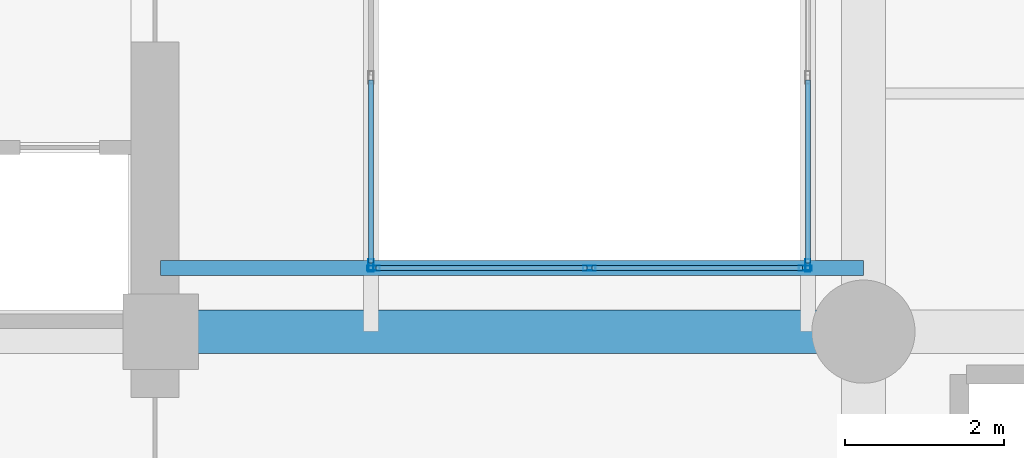
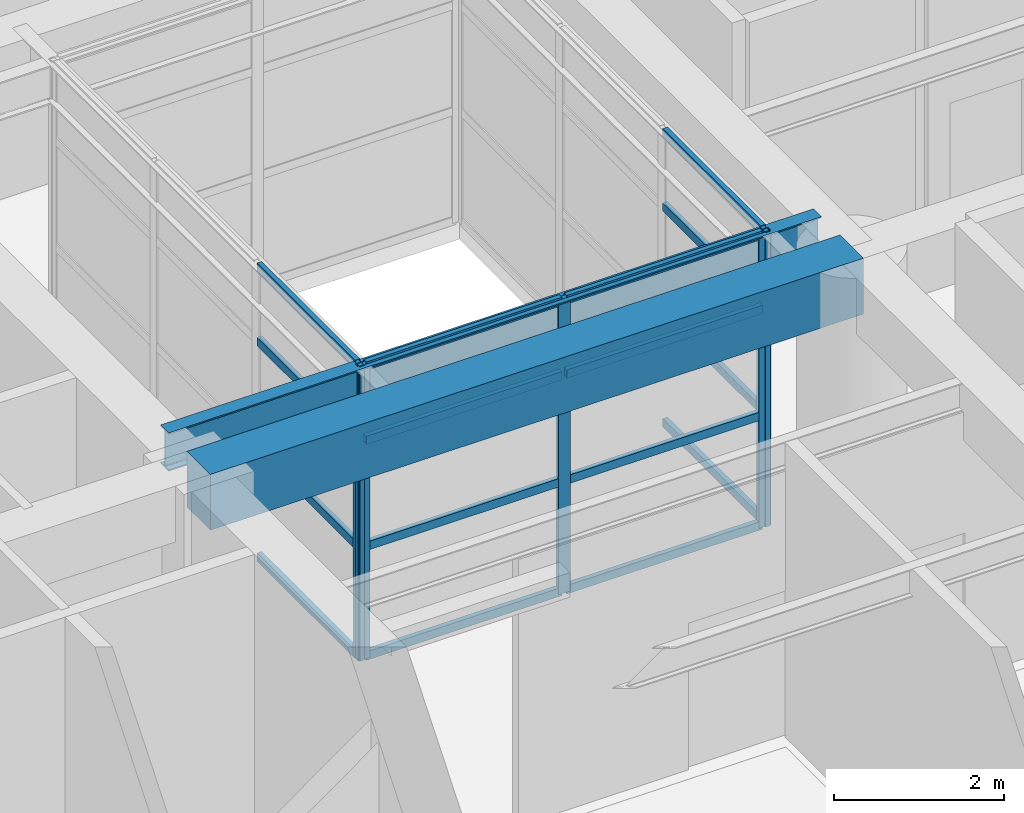
# One storey, part 2 of 13: 21 members, 2 beams, 3 elements without a shape of their own.
"""IFC4 building model written with IfcOpenShell, lengths in metres."""

from ifc_helpers import new_model, si_unit, direction, frame, origin, origin_2d, place, context, subcontext, project, spatial, rectangle, hollow_rectangle, i_section, extrude, material, layer, layer_set, material_profile, profile_set, type_object, element, aggregate, save


model = new_model("IFC4")

# Units and contexts
model_context = context("Model", 3, precision=1e-05, world=origin(), true_north=direction((0.0, 1.0)))
body_context = subcontext(model_context, "Body", "Model", "MODEL_VIEW")
ifc_project = project(units=[si_unit("LENGTHUNIT", "METRE"), si_unit("AREAUNIT", "SQUARE_METRE"), si_unit("VOLUMEUNIT", "CUBIC_METRE"), si_unit("PLANEANGLEUNIT", "RADIAN"), si_unit("MASSUNIT", "GRAM", prefix="KILO")], contexts=[model_context])

# Site, building, storey
site_placement = place(None, origin())
site = spatial("IfcSite", under=ifc_project, at=site_placement, CompositionType="ELEMENT")
building_placement = place(site_placement, origin())
building = spatial("IfcBuilding", under=site, at=building_placement, Name="Kundavana Baori Tower", CompositionType="ELEMENT")
storey_placement = place(building_placement, frame((0.0, 0.0, 21.5)))
storey = spatial("IfcBuildingStorey", under=building, at=storey_placement, Name="L04", CompositionType="ELEMENT", Elevation=21.5)

# Beams
ifc_material_1 = material(Name="Concrete C50/60", Category="concrete")
ifc_material_profile_1 = material_profile(ifc_material_1, rectangle(XDim=0.550048828125, YDim=0.800048828125, at=origin_2d()), Name="RC BM 550x800")
ifc_profile_set_1 = profile_set([ifc_material_profile_1], Name="Concrete C50/60")
beam_type_1 = type_object("IfcBeamType", Name="BM-RC-800", PredefinedType="BEAM", material=ifc_profile_set_1)
beam_1_placement = place(storey_placement, frame((24.949951171875, 24.199951171875, 3.820068359375), z_axis=(1.0, 0.0, 0.0), x_axis=(0.0, 1.0, 0.0)))
element("IfcBeam", 1, at=beam_1_placement, inside=storey, type_object=beam_type_1, Name="L04 Primary Grid Girder GX-2-2", PredefinedType="BEAM", context=body_context, shape_type="SweptSolid", body=[
    extrude(rectangle(XDim=0.550048828125, YDim=0.800048828125, at=origin_2d()), origin(), (0.0, 0.0, 1.0), 8.85009765625),
])
ifc_material_2 = material(Name="Structural Steel S355JR", Category="steel")
ifc_material_profile_2 = material_profile(ifc_material_2, i_section(OverallWidth=0.18994140625, OverallDepth=0.550048828125, WebThickness=0.01123046875, FlangeThickness=0.019287109375, FilletRadius=0.01806640625, at=origin_2d()), Name="ISMB 550")
ifc_profile_set_2 = profile_set([ifc_material_profile_2], Name="Structural Steel S355JR")
beam_type_2 = type_object("IfcBeamType", Name="BM-ST-550", PredefinedType="BEAM", material=ifc_profile_set_2)
beam_2_placement = place(storey_placement, frame((24.949951171875, 25.0, 3.945068359375), z_axis=(1.0, 0.0, 0.0), x_axis=(0.0, 1.0, 0.0)))
element("IfcBeam", 2, at=beam_2_placement, inside=storey, type_object=beam_type_2, Name="L04 Atrium South Edge Beam", PredefinedType="BEAM", context=body_context, shape_type="SweptSolid", body=[
    extrude(i_section(OverallWidth=0.18994140625, OverallDepth=0.550048828125, WebThickness=0.01123046875, FlangeThickness=0.019287109375, FilletRadius=0.01806640625, at=origin_2d()), origin(), (0.0, 0.0, 1.0), 8.85009765625),
])

# Curtain wall, members
ifc_material_3 = material(Name="Thermally Broken Anodised Aluminium Framing", Category="aluminium")
ifc_layer = layer(ifc_material_3, 0.175048828125, Name="CW-SYS-2")
ifc_layer_set = layer_set([ifc_layer], Name="Thermally Broken Anodised Aluminium Framing")
curtain_wall_type = type_object("IfcCurtainWallType", Name="CW-SYS-2", PredefinedType="NOTDEFINED", material=ifc_layer_set)
curtain_wall_1_placement = place(storey_placement, origin())
curtain_wall_1 = element("IfcCurtainWall", 3, at=curtain_wall_1_placement, inside=storey, type_object=curtain_wall_type, Name="L04 Atrium Glazed Curtain Wall S", PredefinedType="NOTDEFINED")
ifc_material_4 = material(Name="Thermally Broken Anodised Aluminium Framing", Category="aluminium")
ifc_material_profile_3 = material_profile(ifc_material_4, hollow_rectangle(XDim=0.06494140625, YDim=0.159912109375, WallThickness=0.00390625, at=origin_2d()), Name="CW-MULL-160")
ifc_profile_set_3 = profile_set([ifc_material_profile_3], Name="Thermally Broken Anodised Aluminium Framing")
member_type_1 = type_object("IfcMemberType", Name="CW-MULL-160", PredefinedType="MULLION", material=ifc_profile_set_3)
member_1_placement = place(storey_placement, frame((27.632568359375, 25.0, 0.0), z_axis=(0.0, 0.0, 1.0), x_axis=(0.0, 1.0, 0.0)))
member_1 = element("IfcMember", 4, at=member_1_placement, type_object=member_type_1, Name="CW2 mullion 1", PredefinedType="MULLION", context=body_context, shape_type="SweptSolid", body=[
    extrude(hollow_rectangle(XDim=0.06494140625, YDim=0.159912109375, WallThickness=0.00390625, at=origin_2d()), origin(), (0.0, 0.0, 1.0), 4.219970703125),
])
member_2_placement = place(storey_placement, frame((30.35009765625, 25.0, 0.0), z_axis=(0.0, 0.0, 1.0), x_axis=(0.0, 1.0, 0.0)))
member_2 = element("IfcMember", 5, at=member_2_placement, type_object=member_type_1, Name="CW2 mullion 2", PredefinedType="MULLION", context=body_context, shape_type="SweptSolid", body=[
    extrude(hollow_rectangle(XDim=0.06494140625, YDim=0.159912109375, WallThickness=0.00390625, at=origin_2d()), origin(), (0.0, 0.0, 1.0), 4.219970703125),
])
member_3_placement = place(storey_placement, frame((33.0673828125, 25.0, 0.0), z_axis=(0.0, 0.0, 1.0), x_axis=(0.0, 1.0, 0.0)))
member_3 = element("IfcMember", 6, at=member_3_placement, type_object=member_type_1, Name="CW2 mullion 3", PredefinedType="MULLION", context=body_context, shape_type="SweptSolid", body=[
    extrude(hollow_rectangle(XDim=0.06494140625, YDim=0.159912109375, WallThickness=0.00390625, at=origin_2d()), origin(), (0.0, 0.0, 1.0), 4.219970703125),
])

# Curtain wall, member
curtain_wall_2_placement = place(storey_placement, origin())
curtain_wall_2 = element("IfcCurtainWall", 7, at=curtain_wall_2_placement, inside=storey, type_object=curtain_wall_type, Name="L04 Atrium Glazed Curtain Wall E", PredefinedType="NOTDEFINED")
member_4_placement = place(storey_placement, frame((33.10009765625, 25.032470703125, 0.0), z_axis=(0.0, 0.0, 1.0), x_axis=(-1.0, 0.0, 0.0)))
member_4 = element("IfcMember", 8, at=member_4_placement, type_object=member_type_1, Name="CW2 mullion 1", PredefinedType="MULLION", context=body_context, shape_type="SweptSolid", body=[
    extrude(hollow_rectangle(XDim=0.06494140625, YDim=0.159912109375, WallThickness=0.00390625, at=origin_2d()), origin(), (0.0, 0.0, 1.0), 4.219970703125),
])

curtain_wall_3_placement = place(storey_placement, origin())
curtain_wall_3 = element("IfcCurtainWall", 9, at=curtain_wall_3_placement, inside=storey, type_object=curtain_wall_type, Name="L04 Atrium Glazed Curtain Wall W", PredefinedType="NOTDEFINED")
member_5_placement = place(storey_placement, frame((27.60009765625, 25.032470703125, 0.0), z_axis=(0.0, 0.0, 1.0), x_axis=(1.0, 0.0, 0.0)))
member_5 = element("IfcMember", 10, at=member_5_placement, type_object=member_type_1, Name="CW2 mullion 4", PredefinedType="MULLION", context=body_context, shape_type="SweptSolid", body=[
    extrude(hollow_rectangle(XDim=0.06494140625, YDim=0.159912109375, WallThickness=0.00390625, at=origin_2d()), origin(), (0.0, 0.0, 1.0), 4.219970703125),
])

# Member
ifc_material_5 = material(Name="Thermally Broken Anodised Aluminium Framing", Category="aluminium")
ifc_material_profile_4 = material_profile(ifc_material_5, hollow_rectangle(XDim=0.06494140625, YDim=0.1201171875, WallThickness=0.00390625, at=origin_2d()), Name="CW-TRAN-120")
ifc_profile_set_4 = profile_set([ifc_material_profile_4], Name="Thermally Broken Anodised Aluminium Framing")
member_type_2 = type_object("IfcMemberType", Name="CW-TRAN-120", PredefinedType="USERDEFINED", material=ifc_profile_set_4)
member_6_placement = place(storey_placement, frame((27.6650390625, 25.0, 0.032470703125), z_axis=(1.0, 0.0, 0.0), x_axis=(0.0, 1.0, 0.0)))
member_6 = element("IfcMember", 11, at=member_6_placement, type_object=member_type_2, Name="CW2 transom 1.1", ObjectType="TRANSOM", PredefinedType="USERDEFINED", context=body_context, shape_type="SweptSolid", body=[
    extrude(hollow_rectangle(XDim=0.06494140625, YDim=0.1201171875, WallThickness=0.00390625, at=origin_2d()), origin(), (0.0, 0.0, 1.0), 2.65234375),
])

member_7_placement = place(storey_placement, frame((27.6650390625, 25.0, 1.603515625), z_axis=(1.0, 0.0, 0.0), x_axis=(0.0, 1.0, 0.0)))
member_7 = element("IfcMember", 12, at=member_7_placement, type_object=member_type_2, Name="CW2 transom 1.2", ObjectType="TRANSOM", PredefinedType="USERDEFINED", context=body_context, shape_type="SweptSolid", body=[
    extrude(hollow_rectangle(XDim=0.06494140625, YDim=0.1201171875, WallThickness=0.00390625, at=origin_2d()), origin(), (0.0, 0.0, 1.0), 2.65234375),
])

member_8_placement = place(storey_placement, frame((27.6650390625, 25.0, 3.122802734375), z_axis=(1.0, 0.0, 0.0), x_axis=(0.0, 1.0, 0.0)))
member_8 = element("IfcMember", 13, at=member_8_placement, type_object=member_type_2, Name="CW2 transom 1.3", ObjectType="TRANSOM", PredefinedType="USERDEFINED", context=body_context, shape_type="SweptSolid", body=[
    extrude(hollow_rectangle(XDim=0.06494140625, YDim=0.1201171875, WallThickness=0.00390625, at=origin_2d()), origin(), (0.0, 0.0, 1.0), 2.65234375),
])

member_9_placement = place(storey_placement, frame((27.6650390625, 25.0, 4.1875), z_axis=(1.0, 0.0, 0.0), x_axis=(0.0, 1.0, 0.0)))
member_9 = element("IfcMember", 14, at=member_9_placement, type_object=member_type_2, Name="CW2 transom 1.4", ObjectType="TRANSOM", PredefinedType="USERDEFINED", context=body_context, shape_type="SweptSolid", body=[
    extrude(hollow_rectangle(XDim=0.06494140625, YDim=0.1201171875, WallThickness=0.00390625, at=origin_2d()), origin(), (0.0, 0.0, 1.0), 2.65234375),
])

member_10_placement = place(storey_placement, frame((30.382568359375, 25.0, 0.032470703125), z_axis=(1.0, 0.0, 0.0), x_axis=(0.0, 1.0, 0.0)))
member_10 = element("IfcMember", 15, at=member_10_placement, type_object=member_type_2, Name="CW2 transom 2.1", ObjectType="TRANSOM", PredefinedType="USERDEFINED", context=body_context, shape_type="SweptSolid", body=[
    extrude(hollow_rectangle(XDim=0.06494140625, YDim=0.1201171875, WallThickness=0.00390625, at=origin_2d()), origin(), (0.0, 0.0, 1.0), 2.65234375),
])

member_11_placement = place(storey_placement, frame((30.382568359375, 25.0, 1.603515625), z_axis=(1.0, 0.0, 0.0), x_axis=(0.0, 1.0, 0.0)))
member_11 = element("IfcMember", 16, at=member_11_placement, type_object=member_type_2, Name="CW2 transom 2.2", ObjectType="TRANSOM", PredefinedType="USERDEFINED", context=body_context, shape_type="SweptSolid", body=[
    extrude(hollow_rectangle(XDim=0.06494140625, YDim=0.1201171875, WallThickness=0.00390625, at=origin_2d()), origin(), (0.0, 0.0, 1.0), 2.65234375),
])

member_12_placement = place(storey_placement, frame((30.382568359375, 25.0, 3.122802734375), z_axis=(1.0, 0.0, 0.0), x_axis=(0.0, 1.0, 0.0)))
member_12 = element("IfcMember", 17, at=member_12_placement, type_object=member_type_2, Name="CW2 transom 2.3", ObjectType="TRANSOM", PredefinedType="USERDEFINED", context=body_context, shape_type="SweptSolid", body=[
    extrude(hollow_rectangle(XDim=0.06494140625, YDim=0.1201171875, WallThickness=0.00390625, at=origin_2d()), origin(), (0.0, 0.0, 1.0), 2.65234375),
])

member_13_placement = place(storey_placement, frame((30.382568359375, 25.0, 4.1875), z_axis=(1.0, 0.0, 0.0), x_axis=(0.0, 1.0, 0.0)))
member_13 = element("IfcMember", 18, at=member_13_placement, type_object=member_type_2, Name="CW2 transom 2.4", ObjectType="TRANSOM", PredefinedType="USERDEFINED", context=body_context, shape_type="SweptSolid", body=[
    extrude(hollow_rectangle(XDim=0.06494140625, YDim=0.1201171875, WallThickness=0.00390625, at=origin_2d()), origin(), (0.0, 0.0, 1.0), 2.65234375),
])

aggregate(curtain_wall_1, [member_1, member_2, member_3, member_6, member_7, member_8, member_9, member_10, member_11, member_12, member_13])

member_14_placement = place(storey_placement, frame((33.10009765625, 25.06494140625, 0.032470703125), z_axis=(0.0, 1.0, 0.0), x_axis=(-1.0, 0.0, 0.0)))
member_14 = element("IfcMember", 19, at=member_14_placement, type_object=member_type_2, Name="CW2 transom 1.1", ObjectType="TRANSOM", PredefinedType="USERDEFINED", context=body_context, shape_type="SweptSolid", body=[
    extrude(hollow_rectangle(XDim=0.06494140625, YDim=0.1201171875, WallThickness=0.00390625, at=origin_2d()), origin(), (0.0, 0.0, 1.0), 2.302490234375),
])

member_15_placement = place(storey_placement, frame((33.10009765625, 25.06494140625, 1.603515625), z_axis=(0.0, 1.0, 0.0), x_axis=(-1.0, 0.0, 0.0)))
member_15 = element("IfcMember", 20, at=member_15_placement, type_object=member_type_2, Name="CW2 transom 1.2", ObjectType="TRANSOM", PredefinedType="USERDEFINED", context=body_context, shape_type="SweptSolid", body=[
    extrude(hollow_rectangle(XDim=0.06494140625, YDim=0.1201171875, WallThickness=0.00390625, at=origin_2d()), origin(), (0.0, 0.0, 1.0), 2.302490234375),
])

member_16_placement = place(storey_placement, frame((33.10009765625, 25.06494140625, 3.122802734375), z_axis=(0.0, 1.0, 0.0), x_axis=(-1.0, 0.0, 0.0)))
member_16 = element("IfcMember", 21, at=member_16_placement, type_object=member_type_2, Name="CW2 transom 1.3", ObjectType="TRANSOM", PredefinedType="USERDEFINED", context=body_context, shape_type="SweptSolid", body=[
    extrude(hollow_rectangle(XDim=0.06494140625, YDim=0.1201171875, WallThickness=0.00390625, at=origin_2d()), origin(), (0.0, 0.0, 1.0), 2.302490234375),
])

member_17_placement = place(storey_placement, frame((33.10009765625, 25.06494140625, 4.1875), z_axis=(0.0, 1.0, 0.0), x_axis=(-1.0, 0.0, 0.0)))
member_17 = element("IfcMember", 22, at=member_17_placement, type_object=member_type_2, Name="CW2 transom 1.4", ObjectType="TRANSOM", PredefinedType="USERDEFINED", context=body_context, shape_type="SweptSolid", body=[
    extrude(hollow_rectangle(XDim=0.06494140625, YDim=0.1201171875, WallThickness=0.00390625, at=origin_2d()), origin(), (0.0, 0.0, 1.0), 2.302490234375),
])

aggregate(curtain_wall_2, [member_4, member_14, member_15, member_16, member_17])

member_18_placement = place(storey_placement, frame((27.60009765625, 27.367431640625, 0.032470703125), z_axis=(0.0, -1.0, 0.0), x_axis=(1.0, 0.0, 0.0)))
member_18 = element("IfcMember", 23, at=member_18_placement, type_object=member_type_2, Name="CW2 transom 3.1", ObjectType="TRANSOM", PredefinedType="USERDEFINED", context=body_context, shape_type="SweptSolid", body=[
    extrude(hollow_rectangle(XDim=0.06494140625, YDim=0.1201171875, WallThickness=0.00390625, at=origin_2d()), origin(), (0.0, 0.0, 1.0), 2.302490234375),
])

member_19_placement = place(storey_placement, frame((27.60009765625, 27.367431640625, 1.603515625), z_axis=(0.0, -1.0, 0.0), x_axis=(1.0, 0.0, 0.0)))
member_19 = element("IfcMember", 24, at=member_19_placement, type_object=member_type_2, Name="CW2 transom 3.2", ObjectType="TRANSOM", PredefinedType="USERDEFINED", context=body_context, shape_type="SweptSolid", body=[
    extrude(hollow_rectangle(XDim=0.06494140625, YDim=0.1201171875, WallThickness=0.00390625, at=origin_2d()), origin(), (0.0, 0.0, 1.0), 2.302490234375),
])

member_20_placement = place(storey_placement, frame((27.60009765625, 27.367431640625, 3.122802734375), z_axis=(0.0, -1.0, 0.0), x_axis=(1.0, 0.0, 0.0)))
member_20 = element("IfcMember", 25, at=member_20_placement, type_object=member_type_2, Name="CW2 transom 3.3", ObjectType="TRANSOM", PredefinedType="USERDEFINED", context=body_context, shape_type="SweptSolid", body=[
    extrude(hollow_rectangle(XDim=0.06494140625, YDim=0.1201171875, WallThickness=0.00390625, at=origin_2d()), origin(), (0.0, 0.0, 1.0), 2.302490234375),
])

member_21_placement = place(storey_placement, frame((27.60009765625, 27.367431640625, 4.1875), z_axis=(0.0, -1.0, 0.0), x_axis=(1.0, 0.0, 0.0)))
member_21 = element("IfcMember", 26, at=member_21_placement, type_object=member_type_2, Name="CW2 transom 3.4", ObjectType="TRANSOM", PredefinedType="USERDEFINED", context=body_context, shape_type="SweptSolid", body=[
    extrude(hollow_rectangle(XDim=0.06494140625, YDim=0.1201171875, WallThickness=0.00390625, at=origin_2d()), origin(), (0.0, 0.0, 1.0), 2.302490234375),
])

aggregate(curtain_wall_3, [member_5, member_18, member_19, member_20, member_21])

save(model, "model.ifc")
